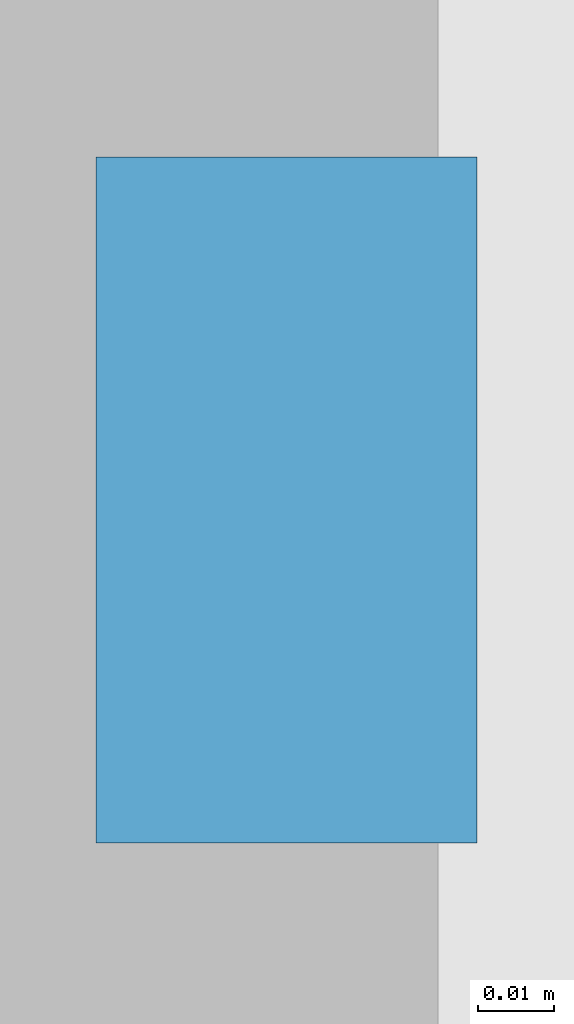
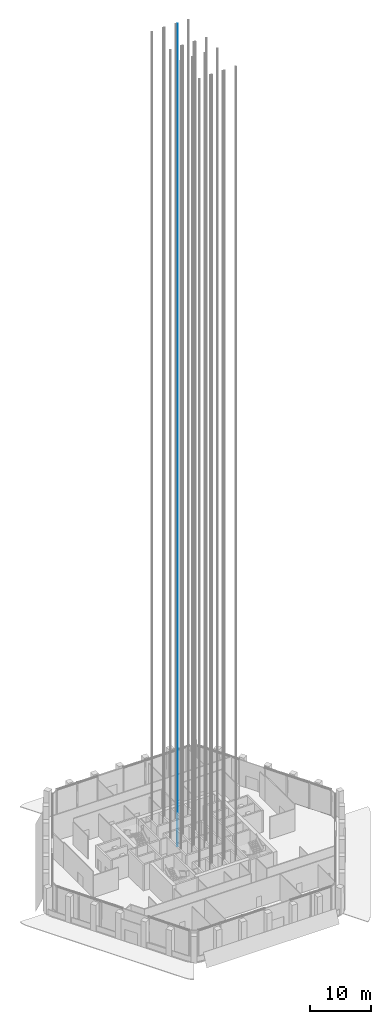
# One storey, part 38 of 42: 1 discrete accessory.
"""IFC4 building model written with IfcOpenShell, lengths in metres."""

from ifc_helpers import new_model, si_unit, direction, frame, origin, origin_2d, place, context, subcontext, project, spatial, rectangle, extrude, element, save


model = new_model("IFC4")

# Units and contexts
model_context = context("Model", 3, precision=1e-05, world=origin(), true_north=direction((0.0, 1.0)))
body_context = subcontext(model_context, "Body", "Model", "MODEL_VIEW")
ifc_project = project(units=[si_unit("LENGTHUNIT", "METRE"), si_unit("AREAUNIT", "SQUARE_METRE"), si_unit("VOLUMEUNIT", "CUBIC_METRE"), si_unit("PLANEANGLEUNIT", "RADIAN"), si_unit("MASSUNIT", "GRAM", prefix="KILO")], contexts=[model_context])

# Site, building, storey
site_placement = place(None, origin())
site = spatial("IfcSite", under=ifc_project, at=site_placement, CompositionType="ELEMENT")
building_placement = place(site_placement, origin())
building = spatial("IfcBuilding", under=site, at=building_placement, Name="Kolab Exchange Tower", CompositionType="ELEMENT")
storey_placement = place(building_placement, frame((0.0, 0.0, 133.39990234375)))
storey = spatial("IfcBuildingStorey", under=building, at=storey_placement, Name="L26", CompositionType="ELEMENT", Elevation=133.39990234375)

# Discrete accessory
discrete_accessory_placement = place(storey_placement, frame((1.330078125, 7.800048828125, -1.599853515625), z_axis=(0.0, 0.0, 1.0), x_axis=(1.0, 0.0, 0.0)))
element("IfcDiscreteAccessory", 1, at=discrete_accessory_placement, inside=storey, Name="Guide rail HR3-1", ObjectType="GUIDE RAIL", PredefinedType="USERDEFINED", context=body_context, shape_type="SweptSolid", body=[
    extrude(rectangle(XDim=0.050048828125, YDim=0.090087890625, at=origin_2d()), origin(), (0.0, 0.0, 1.0), 165.60009765625),
])

save(model, "model.ifc")
